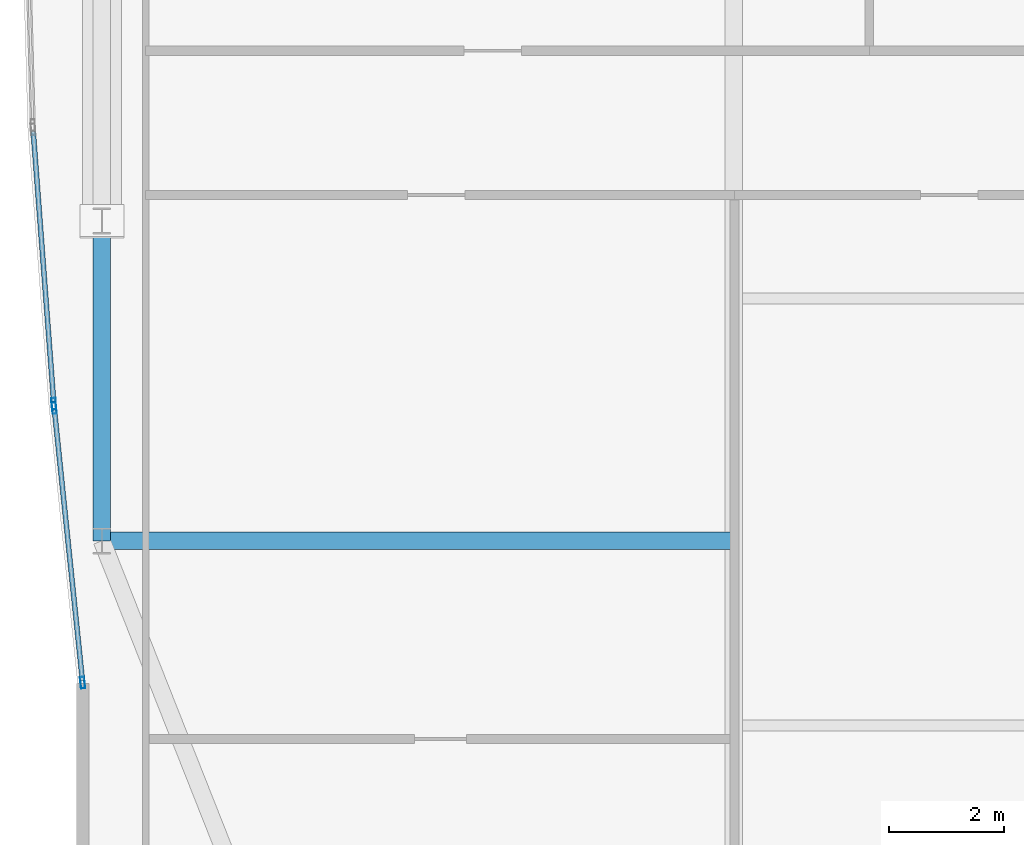
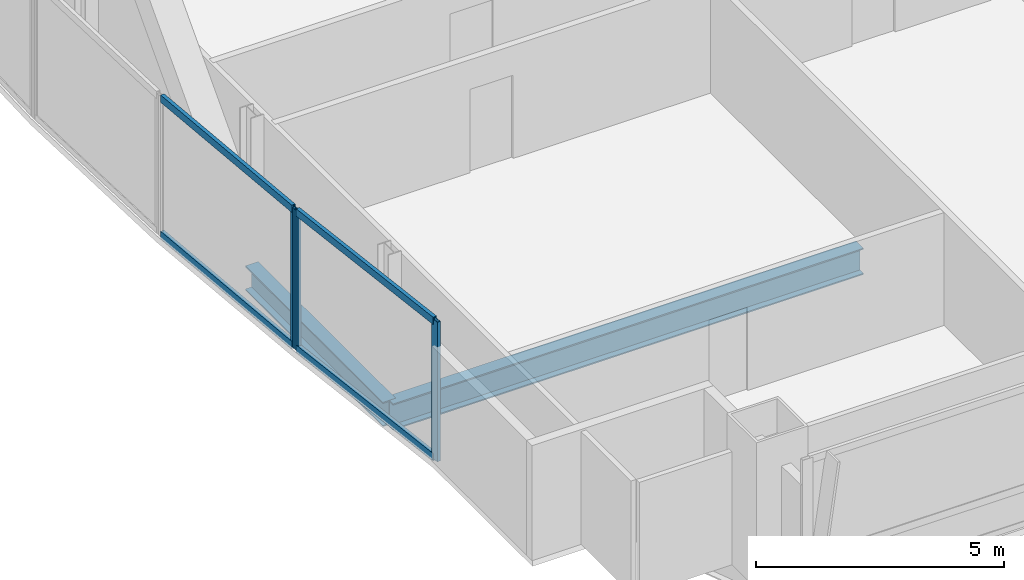
# One storey, part 6 of 32: 7 members, 2 beams, 2 elements without a shape of their own.
"""IFC4 building model written with IfcOpenShell, lengths in metres."""

from ifc_helpers import new_model, si_unit, direction, frame, origin, origin_2d, place, context, subcontext, project, spatial, hollow_rectangle, i_section, extrude, material, material_profile, profile_set, type_object, element, aggregate, save


model = new_model("IFC4")

# Units and contexts
model_context = context("Model", 3, precision=1e-05, world=origin(), true_north=direction((0.0, 1.0)))
body_context = subcontext(model_context, "Body", "Model", "MODEL_VIEW")
ifc_project = project(units=[si_unit("LENGTHUNIT", "METRE"), si_unit("AREAUNIT", "SQUARE_METRE"), si_unit("VOLUMEUNIT", "CUBIC_METRE"), si_unit("PLANEANGLEUNIT", "RADIAN"), si_unit("MASSUNIT", "GRAM", prefix="KILO")], contexts=[model_context])

# Site, building, storey
site_placement = place(None, origin())
site = spatial("IfcSite", under=ifc_project, at=site_placement, CompositionType="ELEMENT")
building_placement = place(site_placement, origin())
building = spatial("IfcBuilding", under=site, at=building_placement, Name="Khoronbel Lancet Exchange", CompositionType="ELEMENT")
storey_placement = place(building_placement, frame((0.0, 0.0, 231.800048828125)))
storey = spatial("IfcBuildingStorey", under=building, at=storey_placement, Name="L59", CompositionType="ELEMENT", Elevation=231.800048828125)

# Beams
ifc_material_1 = material(Name="Steel S355", Category="steel")
ifc_material_profile_1 = material_profile(ifc_material_1, i_section(OverallWidth=0.300048828125, OverallDepth=0.64990234375, WebThickness=0.01611328125, FlangeThickness=0.031005859375, at=origin_2d()), Name="HEB 650")
ifc_profile_set_1 = profile_set([ifc_material_profile_1], Name="Steel S355")
beam_type_1 = type_object("IfcBeamType", Name="BM-BG4", PredefinedType="BEAM", material=ifc_profile_set_1)
beam_1_placement = place(storey_placement, frame((7.27001953125, 19.199951171875, -0.485107421875), z_axis=(1.0, 0.0, 0.0), x_axis=(0.0, 1.0, 0.0)))
element("IfcBeam", 1, at=beam_1_placement, inside=storey, type_object=beam_type_1, Name="Level L59 west lens tie girder LG1W", PredefinedType="BEAM", context=body_context, shape_type="SweptSolid", body=[
    extrude(i_section(OverallWidth=0.300048828125, OverallDepth=0.64990234375, WebThickness=0.01611328125, FlangeThickness=0.031005859375, at=origin_2d()), origin(), (0.0, 0.0, 1.0), 10.955078125),
])
ifc_material_profile_2 = material_profile(ifc_material_1, i_section(OverallWidth=0.300048828125, OverallDepth=0.60009765625, WebThickness=0.015380859375, FlangeThickness=0.030029296875, at=origin_2d()), Name="HEB 600")
ifc_profile_set_2 = profile_set([ifc_material_profile_2], Name="Steel S355")
beam_type_2 = type_object("IfcBeamType", Name="BM-BSP2", PredefinedType="SPANDREL", material=ifc_profile_set_2)
beam_2_placement = place(storey_placement, frame((7.27001953125, 24.75, -0.4599609375), z_axis=(0.0, -1.0, 0.0), x_axis=(1.0, 0.0, 0.0)))
element("IfcBeam", 2, at=beam_2_placement, inside=storey, type_object=beam_type_2, Name="Level L59 perimeter spandrel beam SP20", PredefinedType="SPANDREL", context=body_context, shape_type="SweptSolid", body=[
    extrude(i_section(OverallWidth=0.300048828125, OverallDepth=0.60009765625, WebThickness=0.015380859375, FlangeThickness=0.030029296875, at=origin_2d()), origin(), (0.0, 0.0, 1.0), 5.550048828125),
])

# Curtain wall, members
ifc_material_2 = material(Name="Low-E Solar Control Insulating Glass", Category="glass")
curtain_wall_type = type_object("IfcCurtainWallType", Name="CW-4", PredefinedType="NOTDEFINED", material=ifc_material_2)
curtain_wall_1_placement = place(storey_placement, origin())
curtain_wall_1 = element("IfcCurtainWall", 3, at=curtain_wall_1_placement, inside=storey, type_object=curtain_wall_type, Name="Unitised curtain wall CW-L59-E04", PredefinedType="NOTDEFINED")
ifc_material_3 = material(Name="Bronze-Anodised Aluminium 6063-T6", Category="aluminium")
ifc_material_profile_3 = material_profile(ifc_material_3, hollow_rectangle(XDim=0.074951171875, YDim=0.199951171875, WallThickness=0.0048828125, at=origin_2d()), Name="ALU MULLION 75x200")
ifc_profile_set_3 = profile_set([ifc_material_profile_3], Name="Bronze-Anodised Aluminium 6063-T6")
member_type_1 = type_object("IfcMemberType", Name="MEM-CWM2", PredefinedType="MULLION", material=ifc_profile_set_3)
member_1_placement = place(storey_placement, frame((6.93603515625, 16.741943359375, 0.0), z_axis=(0.0, 0.0, 1.0), x_axis=(-0.99469070501, -0.102909675768, 0.0)))
member_1 = element("IfcMember", 4, at=member_1_placement, type_object=member_type_1, Name="CW4 mullion 1", PredefinedType="MULLION", context=body_context, shape_type="SweptSolid", body=[
    extrude(hollow_rectangle(XDim=0.074951171875, YDim=0.199951171875, WallThickness=0.0048828125, at=origin_2d()), origin(), (0.0, 0.0, 1.0), 3.43994140625),
])
member_2_placement = place(storey_placement, frame((6.443359375, 21.50390625, 0.0), z_axis=(0.0, 0.0, 1.0), x_axis=(-0.99469070501, -0.102909675768, 0.0)))
member_2 = element("IfcMember", 5, at=member_2_placement, type_object=member_type_1, Name="CW4 mullion 2", PredefinedType="MULLION", context=body_context, shape_type="SweptSolid", body=[
    extrude(hollow_rectangle(XDim=0.074951171875, YDim=0.199951171875, WallThickness=0.0048828125, at=origin_2d()), origin(), (0.0, 0.0, 1.0), 3.43994140625),
])

# Curtain wall, member
curtain_wall_2_placement = place(storey_placement, origin())
curtain_wall_2 = element("IfcCurtainWall", 6, at=curtain_wall_2_placement, inside=storey, type_object=curtain_wall_type, Name="Unitised curtain wall CW-L59-E05", PredefinedType="NOTDEFINED")
member_3_placement = place(storey_placement, frame((6.436767578125, 21.57861328125, 0.0), z_axis=(0.0, 0.0, 1.0), x_axis=(-0.997145938632, -0.075498192491, 0.0)))
member_3 = element("IfcMember", 7, at=member_3_placement, type_object=member_type_1, Name="CW4 mullion 1", PredefinedType="MULLION", context=body_context, shape_type="SweptSolid", body=[
    extrude(hollow_rectangle(XDim=0.074951171875, YDim=0.199951171875, WallThickness=0.0048828125, at=origin_2d()), origin(), (0.0, 0.0, 1.0), 3.43994140625),
])

# Member
ifc_material_profile_4 = material_profile(ifc_material_3, hollow_rectangle(XDim=0.0849609375, YDim=0.179931640625, WallThickness=0.0048828125, at=origin_2d()), Name="ALU TRANSOM 85x180")
ifc_profile_set_4 = profile_set([ifc_material_profile_4], Name="Bronze-Anodised Aluminium 6063-T6")
member_type_2 = type_object("IfcMemberType", Name="MEM-CWT1", PredefinedType="USERDEFINED", material=ifc_profile_set_4)
member_4_placement = place(storey_placement, frame((6.932373046875, 16.779296875, 0.04248046875), z_axis=(-0.102939803979, 0.994687587515, 0.0), x_axis=(-0.994687587515, -0.102939803979, 0.0)))
member_4 = element("IfcMember", 8, at=member_4_placement, type_object=member_type_2, Name="CW4 transom 1.1", ObjectType="TRANSOM", PredefinedType="USERDEFINED", context=body_context, shape_type="SweptSolid", body=[
    extrude(hollow_rectangle(XDim=0.0849609375, YDim=0.179931640625, WallThickness=0.0048828125, at=origin_2d()), origin(), (0.0, 0.0, 1.0), 4.712646484375),
])

member_5_placement = place(storey_placement, frame((6.932373046875, 16.779296875, 3.3974609375), z_axis=(-0.102939803979, 0.994687587515, 0.0), x_axis=(-0.994687587515, -0.102939803979, 0.0)))
member_5 = element("IfcMember", 9, at=member_5_placement, type_object=member_type_2, Name="CW4 transom 1.2", ObjectType="TRANSOM", PredefinedType="USERDEFINED", context=body_context, shape_type="SweptSolid", body=[
    extrude(hollow_rectangle(XDim=0.0849609375, YDim=0.179931640625, WallThickness=0.0048828125, at=origin_2d()), origin(), (0.0, 0.0, 1.0), 4.712646484375),
])

aggregate(curtain_wall_1, [member_1, member_2, member_4, member_5])

member_6_placement = place(storey_placement, frame((6.433837890625, 21.615966796875, 0.04248046875), z_axis=(-0.075467459453, 0.997148265086, 0.0), x_axis=(-0.997148265086, -0.075467459453, 0.0)))
member_6 = element("IfcMember", 10, at=member_6_placement, type_object=member_type_2, Name="CW4 transom 1.1", ObjectType="TRANSOM", PredefinedType="USERDEFINED", context=body_context, shape_type="SweptSolid", body=[
    extrude(hollow_rectangle(XDim=0.0849609375, YDim=0.179931640625, WallThickness=0.0048828125, at=origin_2d()), origin(), (0.0, 0.0, 1.0), 4.694091796875),
])

member_7_placement = place(storey_placement, frame((6.433837890625, 21.615966796875, 3.3974609375), z_axis=(-0.075467459453, 0.997148265086, 0.0), x_axis=(-0.997148265086, -0.075467459453, 0.0)))
member_7 = element("IfcMember", 11, at=member_7_placement, type_object=member_type_2, Name="CW4 transom 1.2", ObjectType="TRANSOM", PredefinedType="USERDEFINED", context=body_context, shape_type="SweptSolid", body=[
    extrude(hollow_rectangle(XDim=0.0849609375, YDim=0.179931640625, WallThickness=0.0048828125, at=origin_2d()), origin(), (0.0, 0.0, 1.0), 4.694091796875),
])

aggregate(curtain_wall_2, [member_3, member_6, member_7])

save(model, "model.ifc")
